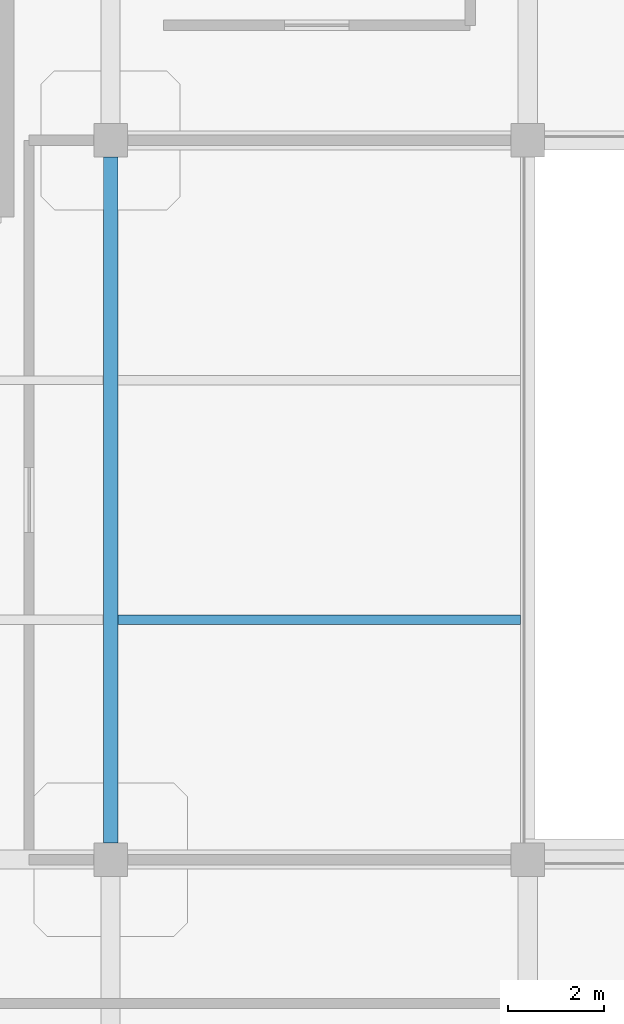
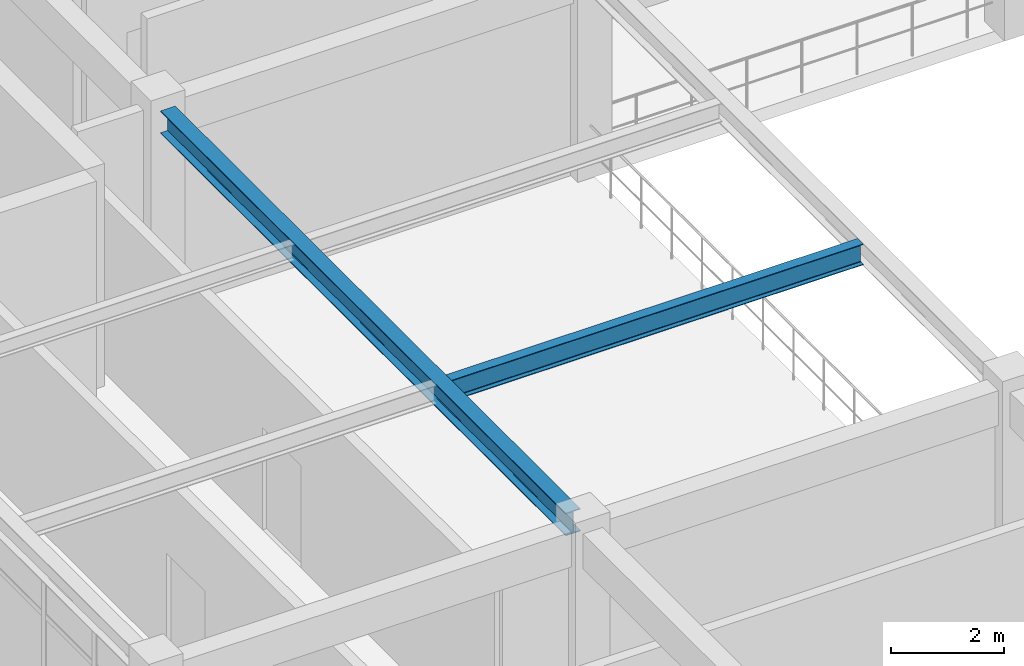
# One storey, part 18 of 76: 2 beams.
"""IFC4 building model written with IfcOpenShell, lengths in metres."""

from ifc_helpers import new_model, si_unit, derived_unit, direction, frame, origin, origin_2d, place, context, subcontext, project, spatial, i_section, extrude, material, material_profile, profile_set, type_object, element, save


model = new_model("IFC4")

# Units and contexts
model_context = context("Model", 3, precision=1e-05, world=origin(), true_north=direction((0.0, 1.0)))
body_context = subcontext(model_context, "Body", "Model", "MODEL_VIEW")
ifc_project = project(units=[si_unit("LENGTHUNIT", "METRE"), si_unit("AREAUNIT", "SQUARE_METRE"), si_unit("VOLUMEUNIT", "CUBIC_METRE"), si_unit("PLANEANGLEUNIT", "RADIAN"), si_unit("MASSUNIT", "GRAM", prefix="KILO"), derived_unit("THERMALTRANSMITTANCEUNIT", [(si_unit("MASSUNIT", "GRAM", prefix="KILO"), 1), (si_unit("TIMEUNIT", "SECOND"), -3), (si_unit("THERMODYNAMICTEMPERATUREUNIT", "KELVIN"), -1)])], contexts=[model_context])

# Site, building, storey
site_placement = place(None, origin())
site = spatial("IfcSite", under=ifc_project, at=site_placement, CompositionType="ELEMENT")
building_placement = place(site_placement, origin())
building = spatial("IfcBuilding", under=site, at=building_placement, Name="Qinzheling Arcade Emporium", CompositionType="ELEMENT")
storey_placement = place(building_placement, frame((0.0, 0.0, 26.699951171875)))
storey = spatial("IfcBuildingStorey", under=building, at=storey_placement, Name="L06", CompositionType="ELEMENT", Elevation=26.699951171875)

# Beams
ifc_material = material(Name="Structural steel Q355B", Category="steel")
ifc_material_profile_1 = material_profile(ifc_material, i_section(OverallWidth=0.300048828125, OverallDepth=0.488037109375, WebThickness=0.010986328125, FlangeThickness=0.01806640625, FilletRadius=0.02197265625, at=origin_2d()), Name="HM 488x300x11x18", Category="steel")
ifc_profile_set_1 = profile_set([ifc_material_profile_1], Name="Structural steel Q355B")
beam_type_1 = type_object("IfcBeamType", Name="Atrium Bridge Girder HM488 Q355B", PredefinedType="USERDEFINED", material=ifc_profile_set_1)
beam_1_placement = place(storey_placement, frame((43.5, 50.75, 4.276123046875), z_axis=(0.0, 1.0, 0.0), x_axis=(-1.0, 0.0, 0.0)))
element("IfcBeam", 1, at=beam_1_placement, inside=storey, type_object=beam_type_1, Name="Beam BM-L06-Y-6-G", ObjectType="TRANSFER_GIRDER", PredefinedType="USERDEFINED", context=body_context, shape_type="SweptSolid", body=[
    extrude(i_section(OverallWidth=0.300048828125, OverallDepth=0.488037109375, WebThickness=0.010986328125, FlangeThickness=0.01806640625, FilletRadius=0.02197265625, at=origin_2d()), origin(), (0.0, 0.0, 1.0), 14.300048828125),
])
ifc_material_profile_2 = material_profile(ifc_material, i_section(OverallWidth=0.199951171875, OverallDepth=0.449951171875, WebThickness=0.009033203125, FlangeThickness=0.013916015625, FilletRadius=0.01611328125, at=origin_2d()), Name="HN 450x200x9x14", Category="steel")
ifc_profile_set_2 = profile_set([ifc_material_profile_2], Name="Structural steel Q355B")
beam_type_2 = type_object("IfcBeamType", Name="Secondary Floor Joist HN450 Q355B", PredefinedType="JOIST", material=ifc_profile_set_2)
beam_2_placement = place(storey_placement, frame((43.655029296875, 55.39990234375, 4.295166015625), z_axis=(1.0, 0.0, 0.0), x_axis=(0.0, 1.0, 0.0)))
element("IfcBeam", 2, at=beam_2_placement, inside=storey, type_object=beam_type_2, Name="Secondary Joist JST-L06-6-1", PredefinedType="JOIST", context=body_context, shape_type="SweptSolid", body=[
    extrude(i_section(OverallWidth=0.199951171875, OverallDepth=0.449951171875, WebThickness=0.009033203125, FlangeThickness=0.013916015625, FilletRadius=0.01611328125, at=origin_2d()), origin(), (0.0, 0.0, 1.0), 8.389892578125),
])

save(model, "model.ifc")
